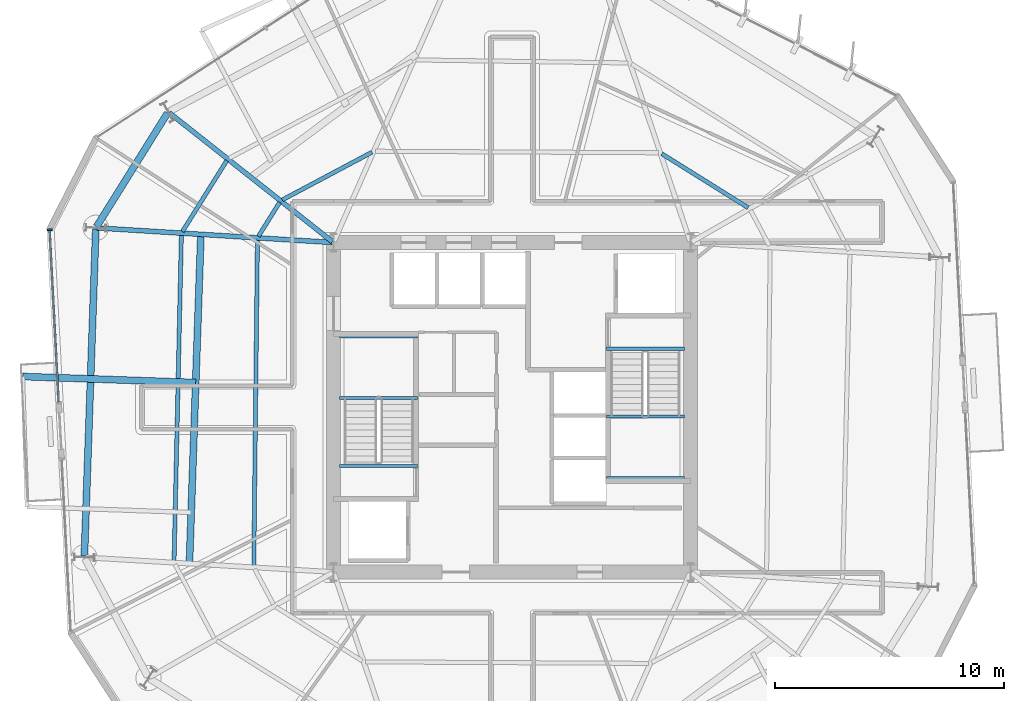
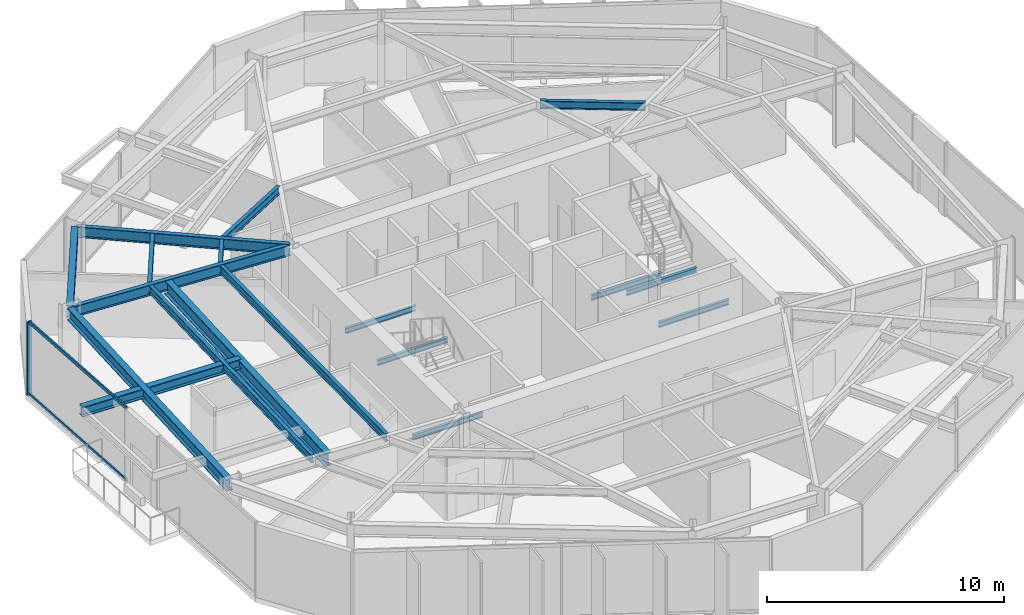
# One storey, part 3 of 12: 18 beams, 3 members, 1 element without a shape of its own.
"""IFC4 building model written with IfcOpenShell, lengths in metres."""

from ifc_helpers import new_model, si_unit, direction, frame, origin, origin_2d, place, context, subcontext, project, spatial, rectangle, i_section, extrude, material, layer, layer_set, material_profile, profile_set, type_object, element, aggregate, save


model = new_model("IFC4")

# Units and contexts
model_context = context("Model", 3, precision=1e-05, world=origin(), true_north=direction((0.0, 1.0)))
body_context = subcontext(model_context, "Body", "Model", "MODEL_VIEW")
ifc_project = project(units=[si_unit("LENGTHUNIT", "METRE"), si_unit("AREAUNIT", "SQUARE_METRE"), si_unit("VOLUMEUNIT", "CUBIC_METRE"), si_unit("PLANEANGLEUNIT", "RADIAN"), si_unit("MASSUNIT", "GRAM", prefix="KILO")], contexts=[model_context])

# Site, building, storey
site_placement = place(None, origin())
site = spatial("IfcSite", under=ifc_project, at=site_placement, CompositionType="ELEMENT")
building_placement = place(site_placement, origin())
building = spatial("IfcBuilding", under=site, at=building_placement, Name="Kranzbogen Civic Tower", CompositionType="ELEMENT")
storey_placement = place(building_placement, frame((0.0, 0.0, 154.39990234375)))
storey = spatial("IfcBuildingStorey", under=building, at=storey_placement, Name="L37", CompositionType="ELEMENT", Elevation=154.39990234375)

# Curtain wall, members
ifc_material_1 = material(Name="Pale Anodised Aluminium", Category="aluminium")
ifc_layer = layer(ifc_material_1, 0.219970703125, Name="Pale Anodised Aluminium")
ifc_layer_set = layer_set([ifc_layer], Name="Pale Anodised Aluminium")
curtain_wall_type = type_object("IfcCurtainWallType", Name="Zone 2 Stick Curtain Wall System CW-03", PredefinedType="USERDEFINED", material=ifc_layer_set)
curtain_wall_placement = place(storey_placement, origin())
curtain_wall = element("IfcCurtainWall", 1, at=curtain_wall_placement, inside=storey, type_object=curtain_wall_type, Name="L37 curtain wall CW-L37-F3-S1", ObjectType="STICK CURTAIN WALL", PredefinedType="USERDEFINED")
ifc_material_profile_1 = material_profile(ifc_material_1, rectangle(XDim=0.074951171875, YDim=0.219970703125, at=origin_2d()), Name="ALU-M 75x220")
ifc_profile_set_1 = profile_set([ifc_material_profile_1], Name="Pale Anodised Aluminium")
member_type_1 = type_object("IfcMemberType", Name="Curtain Wall Mullion ALU-M 75x220", PredefinedType="MULLION", material=ifc_profile_set_1)
member_1_placement = place(storey_placement, frame((4.794677734375, 32.758056640625, 0.0), z_axis=(0.0, 0.0, 1.0), x_axis=(0.052393835252, -0.998626499762, 0.0)))
member_1 = element("IfcMember", 2, at=member_1_placement, type_object=member_type_1, Name="CW-03 mullion 1", PredefinedType="MULLION", context=body_context, shape_type="SweptSolid", body=[
    extrude(rectangle(XDim=0.074951171875, YDim=0.219970703125, at=origin_2d()), origin(), (0.0, 0.0, 1.0), 3.760009765625),
])
ifc_material_profile_2 = material_profile(ifc_material_1, rectangle(XDim=0.074951171875, YDim=0.1650390625, at=origin_2d()), Name="ALU-T 75x165")
ifc_profile_set_2 = profile_set([ifc_material_profile_2], Name="Pale Anodised Aluminium")
member_type_2 = type_object("IfcMemberType", Name="Curtain Wall Transom ALU-T 75x165", PredefinedType="USERDEFINED", material=ifc_profile_set_2)
member_2_placement = place(storey_placement, frame((4.796142578125, 32.72802734375, 0.030029296875), z_axis=(0.052405360596, -0.998625895008, 0.0), x_axis=(0.998625895008, 0.052405360596, 0.0)))
member_2 = element("IfcMember", 3, at=member_2_placement, type_object=member_type_2, Name="CW-03 transom 1.1", ObjectType="TRANSOM", PredefinedType="USERDEFINED", context=body_context, shape_type="SweptSolid", body=[
    extrude(rectangle(XDim=0.074951171875, YDim=0.1650390625, at=origin_2d()), origin(), (0.0, 0.0, 1.0), 7.514404296875),
])
member_3_placement = place(storey_placement, frame((4.796142578125, 32.72802734375, 3.72998046875), z_axis=(0.052405360596, -0.998625895008, 0.0), x_axis=(0.998625895008, 0.052405360596, 0.0)))
member_3 = element("IfcMember", 4, at=member_3_placement, type_object=member_type_2, Name="CW-03 transom 1.2", ObjectType="TRANSOM", PredefinedType="USERDEFINED", context=body_context, shape_type="SweptSolid", body=[
    extrude(rectangle(XDim=0.074951171875, YDim=0.1650390625, at=origin_2d()), origin(), (0.0, 0.0, 1.0), 7.514404296875),
])
aggregate(curtain_wall, [member_1, member_2, member_3])

# Beams
ifc_material_2 = material(Name="Steel S355", Category="steel")
ifc_material_profile_3 = material_profile(ifc_material_2, i_section(OverallWidth=0.300048828125, OverallDepth=0.5, WebThickness=0.014404296875, FlangeThickness=0.028076171875, at=origin_2d()), Name="HEB 500")
ifc_profile_set_3 = profile_set([ifc_material_profile_3], Name="Steel S355")
beam_type_1 = type_object("IfcBeamType", Name="Perimeter Tube Spandrel Beam HEB 500", PredefinedType="SPANDREL", material=ifc_profile_set_3)
beam_1_placement = place(storey_placement, frame((11.177978515625, 26.0810546875, 3.47021484375), z_axis=(-0.999386877134, 0.03501242369, 0.0), x_axis=(-0.03501242369, -0.999386877134, 0.0)))
element("IfcBeam", 5, at=beam_1_placement, inside=storey, type_object=beam_type_1, Name="L38 back-spanned terrace beam L38-ST-1", PredefinedType="SPANDREL", context=body_context, shape_type="SweptSolid", body=[
    extrude(i_section(OverallWidth=0.300048828125, OverallDepth=0.5, WebThickness=0.014404296875, FlangeThickness=0.028076171875, at=origin_2d()), origin(), (0.0, 0.0, 1.0), 7.565673828125),
])
ifc_material_profile_4 = material_profile(ifc_material_2, i_section(OverallWidth=0.300048828125, OverallDepth=0.60009765625, WebThickness=0.015380859375, FlangeThickness=0.030029296875, at=origin_2d()), Name="HEB 600")
ifc_profile_set_4 = profile_set([ifc_material_profile_4], Name="Steel S355")
beam_type_2 = type_object("IfcBeamType", Name="Perimeter Tube Spandrel Beam HEB 600", PredefinedType="SPANDREL", material=ifc_profile_set_4)
beam_2_placement = place(storey_placement, frame((9.945068359375, 37.85693359375, 3.460205078125), z_axis=(-0.529863902903, -0.848082687242, 0.0), x_axis=(0.848082687242, -0.529863902903, 0.0)))
element("IfcBeam", 6, at=beam_2_placement, inside=storey, type_object=beam_type_2, Name="L37 perimeter spandrel beam 11", PredefinedType="SPANDREL", context=body_context, shape_type="SweptSolid", body=[
    extrude(i_section(OverallWidth=0.300048828125, OverallDepth=0.60009765625, WebThickness=0.015380859375, FlangeThickness=0.030029296875, at=origin_2d()), origin(), (0.0, 0.0, 1.0), 5.850830078125),
])
beam_3_placement = place(storey_placement, frame((6.81103515625, 32.783935546875, 3.460205078125), z_axis=(-0.034924229103, -0.999389963038, 0.0), x_axis=(0.999389963038, -0.034924229103, 0.0)))
element("IfcBeam", 7, at=beam_3_placement, inside=storey, type_object=beam_type_2, Name="L37 perimeter spandrel beam 12", PredefinedType="SPANDREL", context=body_context, shape_type="SweptSolid", body=[
    extrude(i_section(OverallWidth=0.300048828125, OverallDepth=0.60009765625, WebThickness=0.015380859375, FlangeThickness=0.030029296875, at=origin_2d()), origin(), (0.0, 0.0, 1.0), 14.288818359375),
])
ifc_material_profile_5 = material_profile(ifc_material_2, i_section(OverallWidth=0.300048828125, OverallDepth=0.699951171875, WebThickness=0.01708984375, FlangeThickness=0.031982421875, at=origin_2d()), Name="HEB 700")
ifc_profile_set_5 = profile_set([ifc_material_profile_5], Name="Steel S355")
beam_type_3 = type_object("IfcBeamType", Name="Perimeter Tube Spandrel Beam HEB 700", PredefinedType="SPANDREL", material=ifc_profile_set_5)
beam_4_placement = place(storey_placement, frame((11.404052734375, 32.55908203125, 3.3701171875), z_axis=(-0.034868227602, -0.99939191847, 0.0), x_axis=(0.99939191847, -0.034868227602, 0.0)))
element("IfcBeam", 8, at=beam_4_placement, inside=storey, type_object=beam_type_3, Name="L38 balcony back-span header girder L38-ST", PredefinedType="SPANDREL", context=body_context, shape_type="SweptSolid", body=[
    extrude(i_section(OverallWidth=0.300048828125, OverallDepth=0.699951171875, WebThickness=0.01708984375, FlangeThickness=0.031982421875, at=origin_2d()), origin(), (0.0, 0.0, 1.0), 14.395751953125),
])
ifc_material_profile_6 = material_profile(ifc_material_2, i_section(OverallWidth=0.2099609375, OverallDepth=0.550048828125, WebThickness=0.010986328125, FlangeThickness=0.01708984375, at=origin_2d()), Name="IPE 550")
ifc_profile_set_6 = profile_set([ifc_material_profile_6], Name="Steel S355")
beam_type_4 = type_object("IfcBeamType", Name="Radial Tower Floor Girder IPE 550", PredefinedType="BEAM", material=ifc_profile_set_6)
beam_5_placement = place(storey_placement, frame((10.02392578125, 37.87109375, 3.485107421875), z_axis=(0.78457455683, -0.620034486763, 0.0), x_axis=(0.620034486763, 0.78457455683, 0.0)))
element("IfcBeam", 9, at=beam_5_placement, inside=storey, type_object=beam_type_4, Name="L37 radial floor girder 11", PredefinedType="BEAM", context=body_context, shape_type="SweptSolid", body=[
    extrude(i_section(OverallWidth=0.2099609375, OverallDepth=0.550048828125, WebThickness=0.010986328125, FlangeThickness=0.01708984375, at=origin_2d()), origin(), (0.0, 0.0, 1.0), 9.086669921875),
])
beam_6_placement = place(storey_placement, frame((6.873046875, 32.840087890625, 3.485107421875), z_axis=(0.998086872961, -0.061827130147, 0.0), x_axis=(0.061827130147, 0.998086872961, 0.0)))
element("IfcBeam", 10, at=beam_6_placement, inside=storey, type_object=beam_type_4, Name="L37 radial floor girder 12", PredefinedType="BEAM", context=body_context, shape_type="SweptSolid", body=[
    extrude(i_section(OverallWidth=0.2099609375, OverallDepth=0.550048828125, WebThickness=0.010986328125, FlangeThickness=0.01708984375, at=origin_2d()), origin(), (0.0, 0.0, 1.0), 10.28662109375),
])
ifc_material_profile_7 = material_profile(ifc_material_2, i_section(OverallWidth=0.179931640625, OverallDepth=0.39990234375, WebThickness=0.008544921875, FlangeThickness=0.013427734375, at=origin_2d()), Name="IPE 400")
ifc_profile_set_7 = profile_set([ifc_material_profile_7], Name="Steel S355")
beam_type_5 = type_object("IfcBeamType", Name="Secondary Composite Floor Joist IPE 400", PredefinedType="JOIST", material=ifc_profile_set_7)
beam_7_placement = place(storey_placement, frame((35.320068359375, 33.72412109375, 3.56005859375), z_axis=(-0.848093834398, 0.529846060716, 0.0), x_axis=(-0.529846060716, -0.848093834398, 0.0)))
element("IfcBeam", 11, at=beam_7_placement, inside=storey, type_object=beam_type_5, Name="L37 secondary floor joist 2.08", PredefinedType="JOIST", context=body_context, shape_type="SweptSolid", body=[
    extrude(i_section(OverallWidth=0.179931640625, OverallDepth=0.39990234375, WebThickness=0.008544921875, FlangeThickness=0.013427734375, at=origin_2d()), origin(), (0.0, 0.0, 1.0), 4.4501953125),
])
beam_8_placement = place(storey_placement, frame((18.888916015625, 36.153076171875, 3.56005859375), z_axis=(-0.882991399158, -0.469389165844, 0.0), x_axis=(0.469389165844, -0.882991399158, 0.0)))
element("IfcBeam", 12, at=beam_8_placement, inside=storey, type_object=beam_type_5, Name="L37 secondary floor joist 2.10", PredefinedType="JOIST", context=body_context, shape_type="SweptSolid", body=[
    extrude(i_section(OverallWidth=0.179931640625, OverallDepth=0.39990234375, WebThickness=0.008544921875, FlangeThickness=0.013427734375, at=origin_2d()), origin(), (0.0, 0.0, 1.0), 4.45068359375),
])
beam_9_placement = place(storey_placement, frame((12.534912109375, 35.784912109375, 3.56005859375), z_axis=(-0.529867065107, -0.848080711557, 0.0), x_axis=(0.848080711557, -0.529867065107, 0.0)))
element("IfcBeam", 13, at=beam_9_placement, inside=storey, type_object=beam_type_5, Name="L37 secondary floor joist 1.11", PredefinedType="JOIST", context=body_context, shape_type="SweptSolid", body=[
    extrude(i_section(OverallWidth=0.179931640625, OverallDepth=0.39990234375, WebThickness=0.008544921875, FlangeThickness=0.013427734375, at=origin_2d()), origin(), (0.0, 0.0, 1.0), 3.6611328125),
])
beam_10_placement = place(storey_placement, frame((14.845947265625, 33.958984375, 3.56005859375), z_axis=(-0.529572623603, -0.84826460278, 0.0), x_axis=(0.84826460278, -0.529572623603, 0.0)))
element("IfcBeam", 14, at=beam_10_placement, inside=storey, type_object=beam_type_5, Name="L37 secondary floor joist 2.11", PredefinedType="JOIST", context=body_context, shape_type="SweptSolid", body=[
    extrude(i_section(OverallWidth=0.179931640625, OverallDepth=0.39990234375, WebThickness=0.008544921875, FlangeThickness=0.013427734375, at=origin_2d()), origin(), (0.0, 0.0, 1.0), 1.75048828125),
])
beam_11_placement = place(storey_placement, frame((10.551025390625, 32.531982421875, 3.56005859375), z_axis=(-0.022402523442, -0.999749031979, 0.0), x_axis=(0.999749031979, -0.022402523442, 0.0)))
element("IfcBeam", 15, at=beam_11_placement, inside=storey, type_object=beam_type_5, Name="L37 secondary floor joist 1.12", PredefinedType="JOIST", context=body_context, shape_type="SweptSolid", body=[
    extrude(i_section(OverallWidth=0.179931640625, OverallDepth=0.39990234375, WebThickness=0.008544921875, FlangeThickness=0.013427734375, at=origin_2d()), origin(), (0.0, 0.0, 1.0), 14.24365234375),
])
beam_12_placement = place(storey_placement, frame((13.875, 32.325927734375, 3.56005859375), z_axis=(-0.011160516663, -0.999937719494, 0.0), x_axis=(0.999937719494, -0.011160516663, 0.0)))
element("IfcBeam", 16, at=beam_12_placement, inside=storey, type_object=beam_type_5, Name="L37 secondary floor joist 2.12", PredefinedType="JOIST", context=body_context, shape_type="SweptSolid", body=[
    extrude(i_section(OverallWidth=0.179931640625, OverallDepth=0.39990234375, WebThickness=0.008544921875, FlangeThickness=0.013427734375, at=origin_2d()), origin(), (0.0, 0.0, 1.0), 14.240966796875),
])
ifc_material_profile_8 = material_profile(ifc_material_2, i_section(OverallWidth=0.135009765625, OverallDepth=0.27001953125, WebThickness=0.006591796875, FlangeThickness=0.01025390625, at=origin_2d()), Name="IPE 270")
ifc_profile_set_8 = profile_set([ifc_material_profile_8], Name="Steel S355")
beam_type_6 = type_object("IfcBeamType", Name="Stair Landing Support Beam IPE 270", PredefinedType="JOIST", material=ifc_profile_set_8)
for number, where, z_axis, x_axis, name in (
    (17, (20.8798828125, 22.43994140625, -0.375), (-1.0, 0.0, 0.0), (0.0, -1.0, 0.0), "L37 ST-T1 stair floor header beam"),
    (18, (20.8798828125, 25.39990234375, 1.6650390625), (-1.0, 0.0, 0.0), (0.0, -1.0, 0.0), "L37 ST-T1 landing support beam 1.1"),
    (19, (20.8798828125, 28.10009765625, 1.6650390625), (-1.0, 0.0, 0.0), (0.0, -1.0, 0.0), "L37 ST-T1 landing support beam 1.2"),
    (20, (29.1201171875, 27.56005859375, -0.375), (1.0, 0.0, 0.0), (0.0, 1.0, 0.0), "L37 ST-T2 stair floor header beam"),
    (21, (29.1201171875, 24.60009765625, 1.6650390625), (1.0, 0.0, 0.0), (0.0, 1.0, 0.0), "L37 ST-T2 landing support beam 1.1"),
    (22, (29.1201171875, 21.89990234375, 1.6650390625), (1.0, 0.0, 0.0), (0.0, 1.0, 0.0), "L37 ST-T2 landing support beam 1.2"),
):
    element("IfcBeam", number, at=place(storey_placement, frame(where, z_axis=z_axis, x_axis=x_axis)), inside=storey, type_object=beam_type_6, Name=name, PredefinedType="JOIST", context=body_context, shape_type="SweptSolid", body=[
        extrude(i_section(OverallWidth=0.135009765625, OverallDepth=0.27001953125, WebThickness=0.006591796875, FlangeThickness=0.01025390625, at=origin_2d()), origin(), (0.0, 0.0, 1.0), 3.409912109375),
    ])

save(model, "model.ifc")
